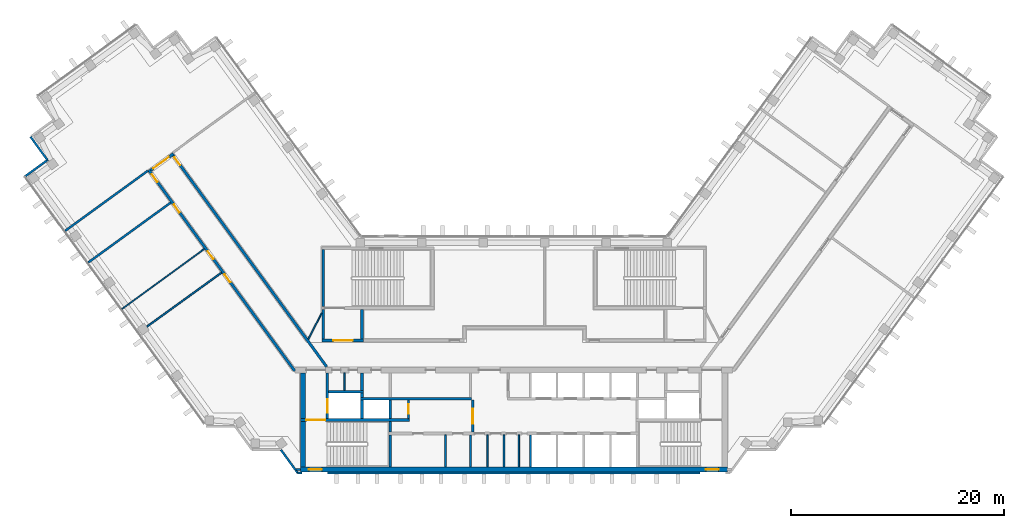
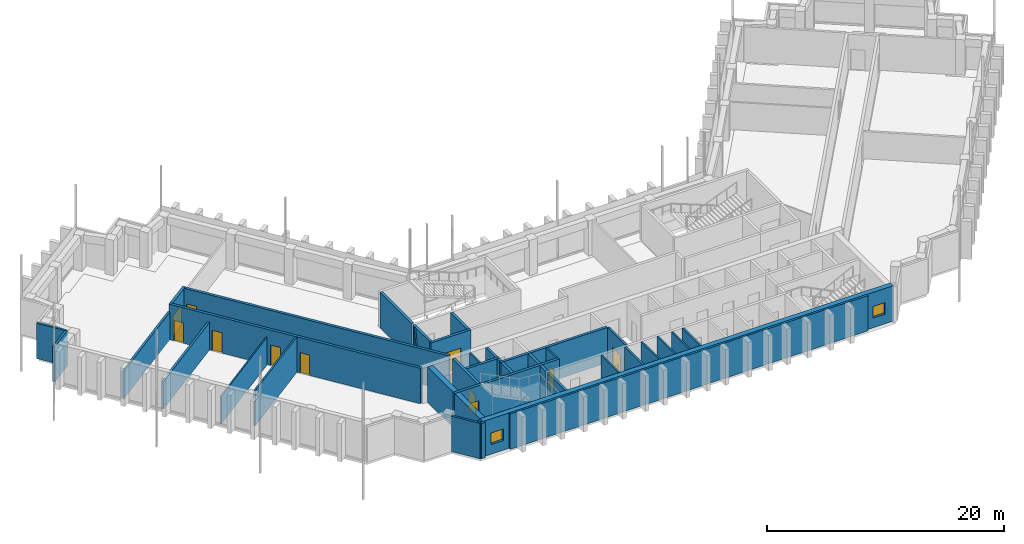
# One storey, part 7 of 13: 40 walls, 11 doors, 2 windows, 13 openings.
"""IFC4 building model written with IfcOpenShell, lengths in metres."""

from ifc_helpers import new_model, si_unit, direction, frame, frame_2d, origin, place, context, subcontext, project, spatial, rectangle, extrude, material, layer, layer_set, type_object, element, fill, save


model = new_model("IFC4")

# Units and contexts
model_context = context("Model", 3, precision=1e-05, world=origin(), true_north=direction((0.0, 1.0)))
body_context = subcontext(model_context, "Body", "Model", "MODEL_VIEW")
ifc_project = project(units=[si_unit("LENGTHUNIT", "METRE"), si_unit("AREAUNIT", "SQUARE_METRE"), si_unit("VOLUMEUNIT", "CUBIC_METRE"), si_unit("PLANEANGLEUNIT", "RADIAN"), si_unit("MASSUNIT", "GRAM", prefix="KILO")], contexts=[model_context])

# Site, building, storey
site_placement = place(None, origin())
site = spatial("IfcSite", under=ifc_project, at=site_placement, CompositionType="ELEMENT")
building_placement = place(site_placement, origin())
building = spatial("IfcBuilding", under=site, at=building_placement, Name="Quipu Civic Tower", CompositionType="ELEMENT")
storey_placement = place(building_placement, frame((0.0, 0.0, 172.0)))
storey = spatial("IfcBuildingStorey", under=building, at=storey_placement, Name="L40", CompositionType="ELEMENT", Elevation=172.0)

# Walls
ifc_material_1 = material(Name="Double gypsum plasterboard with mineral wool")
ifc_layer_1 = layer(ifc_material_1, 0.14990234375)
ifc_layer_set_1 = layer_set([ifc_layer_1], Name="Double gypsum plasterboard with mineral wool")
wall_type_1 = type_object("IfcWallType", Name="Acoustic partition 150 plasterboard", PredefinedType="PARTITIONING", material=ifc_layer_set_1)
wall_1_placement = place(storey_placement, frame((-27.38916015625, 7.702880859375, 0.0), z_axis=(0.0, 0.0, 1.0), x_axis=(-0.809060825193, -0.587724919617, 0.0)))
element("IfcWall", 1, at=wall_1_placement, inside=storey, type_object=wall_type_1, Name="Partition P10", PredefinedType="PARTITIONING", context=body_context, shape_type="SweptSolid", body=[
    extrude(rectangle(XDim=8.64453125, YDim=0.14990234375, at=frame_2d((4.322265625, 0.0))), origin(), (0.0, 0.0, 1.0), 3.64990234375),
])
ifc_material_2 = material(Name="Fired clay blockwork", Category="masonry")
ifc_layer_2 = layer(ifc_material_2, 0.199951171875)
ifc_layer_set_2 = layer_set([ifc_layer_2], Name="Fired clay blockwork")
wall_type_2 = type_object("IfcWallType", Name="Blockwork wall 200", PredefinedType="SOLIDWALL", material=ifc_layer_set_2)
wall_2_placement = place(storey_placement, frame((-42.035888671875, 11.615478515625, 0.0), z_axis=(0.0, 0.0, 1.0), x_axis=(0.808985331811, 0.587828829605, 0.0)))
element("IfcWall", 2, at=wall_2_placement, inside=storey, type_object=wall_type_2, Name="Partition P02", PredefinedType="SOLIDWALL", context=body_context, shape_type="SweptSolid", body=[
    extrude(rectangle(XDim=9.56982421875, YDim=0.199951171875, at=frame_2d((4.784912109375, 0.0))), origin(), (0.0, 0.0, 1.0), 2.85009765625),
])
wall_3_placement = place(storey_placement, frame((-32.150146484375, 14.255859375, 0.0), z_axis=(0.0, 0.0, 1.0), x_axis=(-0.809064299351, -0.587720137068, 0.0)))
element("IfcWall", 3, at=wall_3_placement, inside=storey, type_object=wall_type_2, Name="Partition P04", PredefinedType="SOLIDWALL", context=body_context, shape_type="SweptSolid", body=[
    extrude(rectangle(XDim=9.5498046875, YDim=0.199951171875, at=frame_2d((4.77490234375, 0.0))), origin(), (0.0, 0.0, 1.0), 2.85009765625),
])
ifc_material_3 = material(Name="Concrete C70/85", Category="concrete")
ifc_layer_3 = layer(ifc_material_3, 0.25)
ifc_layer_set_3 = layer_set([ifc_layer_3], Name="Concrete C70/85")
wall_type_3 = type_object("IfcWallType", Name="Core wall 250", PredefinedType="SHEAR", material=ifc_layer_set_3)
wall_4_placement = place(storey_placement, frame((-11.574951171875, -10.5, 0.0), z_axis=(0.0, 0.0, 1.0), x_axis=(0.0, 1.0, 0.0)))
element("IfcWall", 4, at=wall_4_placement, inside=storey, type_object=wall_type_3, Name="Core wall", PredefinedType="SHEAR", context=body_context, shape_type="SweptSolid", body=[
    extrude(rectangle(XDim=3.0, YDim=0.25, at=frame_2d((1.5, 0.0))), origin(), (0.0, 0.0, 1.0), 3.64990234375),
])
wall_5_placement = place(storey_placement, frame((-11.574951171875, -7.25, 0.0), z_axis=(0.0, 0.0, 1.0), x_axis=(0.0, 1.0, 0.0)))
element("IfcWall", 5, at=wall_5_placement, inside=storey, type_object=wall_type_3, Name="Core wall", PredefinedType="SHEAR", context=body_context, shape_type="SweptSolid", body=[
    extrude(rectangle(XDim=1.0, YDim=0.25, at=frame_2d((0.5, 0.0))), origin(), (0.0, 0.0, 1.0), 3.64990234375),
])

# Wall, opening, door
wall_6_placement = place(storey_placement, frame((-9.800048828125, -6.125, 0.0), z_axis=(0.0, 0.0, 1.0), x_axis=(-1.0, 0.0, 0.0)))
wall_6 = element("IfcWall", 6, at=wall_6_placement, inside=storey, type_object=wall_type_3, Name="Core wall", PredefinedType="SHEAR", context=body_context, shape_type="SweptSolid", body=[
    extrude(rectangle(XDim=10.199951171875, YDim=0.25, at=frame_2d((5.10009765625, 0.0))), origin(), (0.0, 0.0, 1.0), 3.64990234375),
])
opening_1_placement = place(wall_6_placement, frame((7.85009765625, 0.0, 0.0)))
opening_1 = element("IfcOpeningElement", 7, at=opening_1_placement, cuts=wall_6, Name="Opening CD-07", PredefinedType="OPENING", context=body_context, shape_type="SweptSolid", body=[
    extrude(rectangle(XDim=1.800048828125, YDim=2.10009765625, at=frame_2d((0.89990234375, 1.050048828125))), frame((0.0, 0.135009765625, 0.0), z_axis=(0.0, -1.0, 0.0), x_axis=(1.0, 0.0, 0.0)), (0.0, 0.0, 1.0), 0.27001953125),
])
ifc_material_4 = material(Name="Fire rated steel door", Category="steel")
door_type_1 = type_object("IfcDoorType", Name="Fire door FD90 double 1800 x 2100", OperationType="NOTDEFINED", PredefinedType="DOOR", material=ifc_material_4)
door_1_placement = place(opening_1_placement, origin())
door_1 = element("IfcDoor", 8, at=door_1_placement, inside=storey, type_object=door_type_1, Name="Door", OperationType="DOUBLE_DOOR_SINGLE_SWING", OverallHeight=2.10009765625, OverallWidth=1.800048828125, PredefinedType="DOOR", context=body_context, shape_type="SweptSolid", body=[
    extrude(rectangle(XDim=1.800048828125, YDim=2.10009765625, at=frame_2d((0.89990234375, 1.050048828125))), frame((0.0, 0.02490234375, 0.0), z_axis=(0.0, -1.0, 0.0), x_axis=(1.0, 0.0, 0.0)), (0.0, 0.0, 1.0), 0.050048828125),
])
fill(opening_1, door_1)

wall_7_placement = place(storey_placement, frame((-17.47509765625, -6.0, 0.0), z_axis=(0.0, 0.0, 1.0), x_axis=(0.0, 1.0, 0.0)))
wall_7 = element("IfcWall", 9, at=wall_7_placement, inside=storey, type_object=wall_type_3, Name="Core wall", PredefinedType="SHEAR", context=body_context, shape_type="SweptSolid", body=[
    extrude(rectangle(XDim=4.300048828125, YDim=0.25, at=frame_2d((2.14990234375, 0.0))), origin(), (0.0, 0.0, 1.0), 3.64990234375),
])
opening_2_placement = place(wall_7_placement, frame((0.550048828125, 0.0, 0.0)))
opening_2 = element("IfcOpeningElement", 10, at=opening_2_placement, cuts=wall_7, Name="Opening LD-FF1", PredefinedType="OPENING", context=body_context, shape_type="SweptSolid", body=[
    extrude(rectangle(XDim=1.300048828125, YDim=2.10009765625, at=frame_2d((0.64990234375, 1.050048828125))), frame((0.0, 0.135009765625, 0.0), z_axis=(0.0, -1.0, 0.0), x_axis=(1.0, 0.0, 0.0)), (0.0, 0.0, 1.0), 0.27001953125),
])
ifc_material_5 = material(Name="Stainless steel", Category="steel")
door_type_2 = type_object("IfcDoorType", Name="Lift landing door 1300 x 2100", OperationType="DOUBLE_DOOR_SLIDING", PredefinedType="DOOR", material=ifc_material_5)
door_2_placement = place(opening_2_placement, origin())
door_2 = element("IfcDoor", 11, at=door_2_placement, inside=storey, type_object=door_type_2, Name="Landing door FF1", OperationType="DOUBLE_DOOR_SLIDING", OverallHeight=2.10009765625, OverallWidth=1.300048828125, PredefinedType="DOOR", context=body_context, shape_type="SweptSolid", body=[
    extrude(rectangle(XDim=1.300048828125, YDim=2.10009765625, at=frame_2d((0.64990234375, 1.050048828125))), frame((0.0, 0.02490234375, 0.0), z_axis=(0.0, -1.0, 0.0), x_axis=(1.0, 0.0, 0.0)), (0.0, 0.0, 1.0), 0.050048828125),
])
fill(opening_2, door_2)

# Walls
for number, where, z_axis, x_axis, name in (
    (12, (-14.22509765625, -6.0, 0.0), (0.0, 0.0, 1.0), (0.0, 1.0, 0.0), "Core wall"),
    (13, (-11.574951171875, -6.0, 0.0), (0.0, 0.0, 1.0), (0.0, 1.0, 0.0), "Core wall"),
):
    element("IfcWall", number, at=place(storey_placement, frame(where, z_axis=z_axis, x_axis=x_axis)), inside=storey, type_object=wall_type_3, Name=name, PredefinedType="SHEAR", context=body_context, shape_type="SweptSolid", body=[
        extrude(rectangle(XDim=1.75, YDim=0.25, at=frame_2d((0.875, 0.0))), origin(), (0.0, 0.0, 1.0), 3.64990234375),
    ])
wall_8_placement = place(storey_placement, frame((-14.35009765625, -4.125, 0.0), z_axis=(0.0, 0.0, 1.0), x_axis=(1.0, 0.0, 0.0)))
element("IfcWall", 14, at=wall_8_placement, inside=storey, type_object=wall_type_3, Name="Core wall", PredefinedType="SHEAR", context=body_context, shape_type="SweptSolid", body=[
    extrude(rectangle(XDim=10.400146484375, YDim=0.25, at=frame_2d((5.2001953125, 0.0))), origin(), (0.0, 0.0, 1.0), 3.64990234375),
])
wall_9_placement = place(storey_placement, frame((-14.22509765625, -4.0, 0.0), z_axis=(0.0, 0.0, 1.0), x_axis=(0.0, 1.0, 0.0)))
element("IfcWall", 15, at=wall_9_placement, inside=storey, type_object=wall_type_3, Name="Core wall", PredefinedType="SHEAR", context=body_context, shape_type="SweptSolid", body=[
    extrude(rectangle(XDim=0.39990234375, YDim=0.25, at=frame_2d((0.199951171875, 0.0))), origin(), (0.0, 0.0, 1.0), 3.64990234375),
])
wall_10_placement = place(storey_placement, frame((-17.35009765625, -3.47509765625, 0.0), z_axis=(0.0, 0.0, 1.0), x_axis=(1.0, 0.0, 0.0)))
element("IfcWall", 16, at=wall_10_placement, inside=storey, type_object=wall_type_3, Name="Core wall", PredefinedType="SHEAR", context=body_context, shape_type="SweptSolid", body=[
    extrude(rectangle(XDim=3.25, YDim=0.25, at=frame_2d((1.625, 0.0))), origin(), (0.0, 0.0, 1.0), 3.64990234375),
])
wall_11_placement = place(storey_placement, frame((-14.22509765625, -3.35009765625, 0.0), z_axis=(0.0, 0.0, 1.0), x_axis=(0.0, 1.0, 0.0)))
element("IfcWall", 17, at=wall_11_placement, inside=storey, type_object=wall_type_3, Name="Core wall", PredefinedType="SHEAR", context=body_context, shape_type="SweptSolid", body=[
    extrude(rectangle(XDim=1.650146484375, YDim=0.25, at=frame_2d((0.8251953125, 0.0))), origin(), (0.0, 0.0, 1.0), 3.64990234375),
])

# Wall, opening, door
wall_12_placement = place(storey_placement, frame((-18.0, 1.324951171875, 0.0), z_axis=(0.0, 0.0, 1.0), x_axis=(1.0, 0.0, 0.0)))
wall_12 = element("IfcWall", 18, at=wall_12_placement, inside=storey, type_object=wall_type_3, Name="Core wall", PredefinedType="SHEAR", context=body_context, shape_type="SweptSolid", body=[
    extrude(rectangle(XDim=3.89990234375, YDim=0.25, at=frame_2d((1.949951171875, 0.0))), origin(), (0.0, 0.0, 1.0), 3.64990234375),
])
opening_3_placement = place(wall_12_placement, frame((1.10009765625, 0.0, 0.0)))
opening_3 = element("IfcOpeningElement", 19, at=opening_3_placement, cuts=wall_12, Name="Opening CD-21", PredefinedType="OPENING", context=body_context, shape_type="SweptSolid", body=[
    extrude(rectangle(XDim=1.800048828125, YDim=2.10009765625, at=frame_2d((0.89990234375, 1.050048828125))), frame((0.0, 0.135009765625, 0.0), z_axis=(0.0, -1.0, 0.0), x_axis=(1.0, 0.0, 0.0)), (0.0, 0.0, 1.0), 0.27001953125),
])
door_3_placement = place(opening_3_placement, origin())
door_3 = element("IfcDoor", 20, at=door_3_placement, inside=storey, type_object=door_type_1, Name="Lobby door", OperationType="DOUBLE_DOOR_SINGLE_SWING", OverallHeight=2.10009765625, OverallWidth=1.800048828125, PredefinedType="DOOR", context=body_context, shape_type="SweptSolid", body=[
    extrude(rectangle(XDim=1.800048828125, YDim=2.10009765625, at=frame_2d((0.89990234375, 1.050048828125))), frame((0.0, 0.02490234375, 0.0), z_axis=(0.0, -1.0, 0.0), x_axis=(1.0, 0.0, 0.0)), (0.0, 0.0, 1.0), 0.050048828125),
])
fill(opening_3, door_3)

# Walls
for number, where, z_axis, x_axis, name in (
    (21, (-17.875, 1.449951171875, 0.0), (0.0, 0.0, 1.0), (0.0, 1.0, 0.0), "Core wall"),
    (22, (-14.22509765625, 1.449951171875, 0.0), (0.0, 0.0, 1.0), (0.0, 1.0, 0.0), "Core wall"),
):
    element("IfcWall", number, at=place(storey_placement, frame(where, z_axis=z_axis, x_axis=x_axis)), inside=storey, type_object=wall_type_3, Name=name, PredefinedType="SHEAR", context=body_context, shape_type="SweptSolid", body=[
        extrude(rectangle(XDim=2.800048828125, YDim=0.25, at=frame_2d((1.39990234375, 0.0))), origin(), (0.0, 0.0, 1.0), 3.64990234375),
    ])
wall_13_placement = place(storey_placement, frame((-17.875, 4.5, 0.0), z_axis=(0.0, 0.0, 1.0), x_axis=(0.0, 1.0, 0.0)))
element("IfcWall", 23, at=wall_13_placement, inside=storey, type_object=wall_type_3, Name="Core wall", PredefinedType="SHEAR", context=body_context, shape_type="SweptSolid", body=[
    extrude(rectangle(XDim=5.35009765625, YDim=0.25, at=frame_2d((2.675048828125, 0.0))), origin(), (0.0, 0.0, 1.0), 3.64990234375),
])

# Wall, openings, windows
ifc_material_6 = material(Name="Concrete C70/85", Category="concrete")
ifc_layer_4 = layer(ifc_material_6, 0.5)
ifc_layer_set_4 = layer_set([ifc_layer_4], Name="Concrete C70/85")
wall_type_4 = type_object("IfcWallType", Name="Core wall 500", PredefinedType="SHEAR", material=ifc_layer_set_4)
wall_14_placement = place(storey_placement, frame((-20.0, -10.75, 0.0), z_axis=(0.0, 0.0, 1.0), x_axis=(1.0, 0.0, 0.0)))
wall_14 = element("IfcWall", 24, at=wall_14_placement, inside=storey, type_object=wall_type_4, Name="Core wall", PredefinedType="SHEAR", context=body_context, shape_type="SweptSolid", body=[
    extrude(rectangle(XDim=40.0, YDim=0.5, at=frame_2d((20.0, 0.0))), origin(), (0.0, 0.0, 1.0), 3.64990234375),
])
opening_4_placement = place(wall_14_placement, frame((0.800048828125, 0.0, 1.0)))
opening_4 = element("IfcOpeningElement", 25, at=opening_4_placement, cuts=wall_14, Name="Opening SV-1", PredefinedType="OPENING", context=body_context, shape_type="SweptSolid", body=[
    extrude(rectangle(XDim=1.199951171875, YDim=1.199951171875, at=frame_2d((0.60009765625, 0.60009765625))), frame((0.0, 0.260009765625, 0.0), z_axis=(0.0, -1.0, 0.0), x_axis=(1.0, 0.0, 0.0)), (0.0, 0.0, 1.0), 0.52001953125),
])
opening_5_placement = place(wall_14_placement, frame((38.0, 0.0, 1.0)))
opening_5 = element("IfcOpeningElement", 26, at=opening_5_placement, cuts=wall_14, Name="Opening SV-2", PredefinedType="OPENING", context=body_context, shape_type="SweptSolid", body=[
    extrude(rectangle(XDim=1.199951171875, YDim=1.199951171875, at=frame_2d((0.60009765625, 0.60009765625))), frame((0.0, 0.260009765625, 0.0), z_axis=(0.0, -1.0, 0.0), x_axis=(1.0, 0.0, 0.0)), (0.0, 0.0, 1.0), 0.52001953125),
])
ifc_material_7 = material(Name="Aluminium louvre", Category="aluminium")
window_type = type_object("IfcWindowType", Name="Stair ventilation louvre 1200 x 1200", PartitioningType="SINGLE_PANEL", PredefinedType="WINDOW", material=ifc_material_7)
window_1_placement = place(opening_4_placement, origin())
window_1 = element("IfcWindow", 27, at=window_1_placement, inside=storey, type_object=window_type, Name="Stair ventilation opening", OverallHeight=1.199951171875, OverallWidth=1.199951171875, PartitioningType="SINGLE_PANEL", PredefinedType="WINDOW", context=body_context, shape_type="SweptSolid", body=[
    extrude(rectangle(XDim=1.199951171875, YDim=1.199951171875, at=frame_2d((0.60009765625, 0.60009765625))), frame((0.0, 0.030029296875, 0.0), z_axis=(0.0, -1.0, 0.0), x_axis=(1.0, 0.0, 0.0)), (0.0, 0.0, 1.0), 0.06005859375),
])
fill(opening_4, window_1)
window_2_placement = place(opening_5_placement, origin())
window_2 = element("IfcWindow", 28, at=window_2_placement, inside=storey, type_object=window_type, Name="Stair ventilation opening", OverallHeight=1.199951171875, OverallWidth=1.199951171875, PartitioningType="SINGLE_PANEL", PredefinedType="WINDOW", context=body_context, shape_type="SweptSolid", body=[
    extrude(rectangle(XDim=1.199951171875, YDim=1.199951171875, at=frame_2d((0.60009765625, 0.60009765625))), frame((0.0, 0.030029296875, 0.0), z_axis=(0.0, -1.0, 0.0), x_axis=(1.0, 0.0, 0.0)), (0.0, 0.0, 1.0), 0.06005859375),
])
fill(opening_5, window_2)

# Walls
wall_15_placement = place(storey_placement, frame((-19.75, -10.5, 0.0), z_axis=(0.0, 0.0, 1.0), x_axis=(0.0, 1.0, 0.0)))
element("IfcWall", 29, at=wall_15_placement, inside=storey, type_object=wall_type_4, Name="Core wall", PredefinedType="SHEAR", context=body_context, shape_type="SweptSolid", body=[
    extrude(rectangle(XDim=4.25, YDim=0.5, at=frame_2d((2.125, 0.0))), origin(), (0.0, 0.0, 1.0), 3.64990234375),
])
wall_16_placement = place(storey_placement, frame((-19.75, -6.0, 0.0), z_axis=(0.0, 0.0, 1.0), x_axis=(0.0, 1.0, 0.0)))
element("IfcWall", 30, at=wall_16_placement, inside=storey, type_object=wall_type_4, Name="Core wall", PredefinedType="SHEAR", context=body_context, shape_type="SweptSolid", body=[
    extrude(rectangle(XDim=4.300048828125, YDim=0.5, at=frame_2d((2.14990234375, 0.0))), origin(), (0.0, 0.0, 1.0), 3.64990234375),
])

# Wall, openings, doors
ifc_material_8 = material(Name="Concrete C50/60", Category="concrete")
ifc_layer_5 = layer(ifc_material_8, 0.25)
ifc_layer_set_5 = layer_set([ifc_layer_5], Name="Concrete C50/60")
wall_type_5 = type_object("IfcWallType", Name="Corridor wall 250 concrete", PredefinedType="SOLIDWALL", material=ifc_layer_set_5)
wall_17_placement = place(storey_placement, frame((-20.531005859375, -1.5234375, 0.0), z_axis=(0.0, 0.0, 1.0), x_axis=(-0.587784239999, 0.809017729849, 0.0)))
wall_17 = element("IfcWall", 31, at=wall_17_placement, inside=storey, type_object=wall_type_5, Name="Corridor wall C04", PredefinedType="SOLIDWALL", context=body_context, shape_type="SweptSolid", body=[
    extrude(rectangle(XDim=23.2705078125, YDim=0.25, at=frame_2d((11.63525390625, 0.0))), origin(), (0.0, 0.0, 1.0), 3.64990234375),
])
opening_6_placement = place(wall_17_placement, frame((18.36572265625, 0.0, 0.0)))
opening_6 = element("IfcOpeningElement", 32, at=opening_6_placement, cuts=wall_17, Name="Opening D011", PredefinedType="OPENING", context=body_context, shape_type="SweptSolid", body=[
    extrude(rectangle(XDim=0.89990234375, YDim=2.10009765625, at=frame_2d((0.449951171875, 1.050048828125))), frame((0.0, 0.135009765625, 0.0), z_axis=(0.0, -1.0, 0.0), x_axis=(1.0, 0.0, 0.0)), (0.0, 0.0, 1.0), 0.27001953125),
])
opening_7_placement = place(wall_17_placement, frame((10.265869140625, 0.0, 0.0)))
opening_7 = element("IfcOpeningElement", 33, at=opening_7_placement, cuts=wall_17, Name="Opening D013", PredefinedType="OPENING", context=body_context, shape_type="SweptSolid", body=[
    extrude(rectangle(XDim=0.89990234375, YDim=2.10009765625, at=frame_2d((0.449951171875, 1.050048828125))), frame((0.0, 0.135009765625, 0.0), z_axis=(0.0, -1.0, 0.0), x_axis=(1.0, 0.0, 0.0)), (0.0, 0.0, 1.0), 0.27001953125),
])
opening_8_placement = place(wall_17_placement, frame((21.89599609375, 0.0, 0.0)))
opening_8 = element("IfcOpeningElement", 34, at=opening_8_placement, cuts=wall_17, Name="Opening D010", PredefinedType="OPENING", context=body_context, shape_type="SweptSolid", body=[
    extrude(rectangle(XDim=0.89990234375, YDim=2.10009765625, at=frame_2d((0.449951171875, 1.050048828125))), frame((0.0, 0.135009765625, 0.0), z_axis=(0.0, -1.0, 0.0), x_axis=(1.0, 0.0, 0.0)), (0.0, 0.0, 1.0), 0.27001953125),
])
opening_9_placement = place(wall_17_placement, frame((12.96630859375, 0.0, 0.0)))
opening_9 = element("IfcOpeningElement", 35, at=opening_9_placement, cuts=wall_17, Name="Opening D012", PredefinedType="OPENING", context=body_context, shape_type="SweptSolid", body=[
    extrude(rectangle(XDim=0.89990234375, YDim=2.10009765625, at=frame_2d((0.449951171875, 1.050048828125))), frame((0.0, 0.135009765625, 0.0), z_axis=(0.0, -1.0, 0.0), x_axis=(1.0, 0.0, 0.0)), (0.0, 0.0, 1.0), 0.27001953125),
])
ifc_material_9 = material(Name="Fire rated timber door set with metal frame", Category="wood")
door_type_3 = type_object("IfcDoorType", Name="Single door 900 x 2100 FD60", OperationType="NOTDEFINED", PredefinedType="DOOR", material=ifc_material_9)
door_4_placement = place(opening_6_placement, origin())
door_4 = element("IfcDoor", 36, at=door_4_placement, inside=storey, type_object=door_type_3, Name="Door D011", OperationType="SINGLE_SWING_RIGHT", OverallHeight=2.10009765625, OverallWidth=0.89990234375, PredefinedType="DOOR", context=body_context, shape_type="SweptSolid", body=[
    extrude(rectangle(XDim=0.89990234375, YDim=2.10009765625, at=frame_2d((0.449951171875, 1.050048828125))), frame((0.0, 0.02490234375, 0.0), z_axis=(0.0, -1.0, 0.0), x_axis=(1.0, 0.0, 0.0)), (0.0, 0.0, 1.0), 0.050048828125),
])
fill(opening_6, door_4)
door_5_placement = place(opening_7_placement, origin())
door_5 = element("IfcDoor", 37, at=door_5_placement, inside=storey, type_object=door_type_3, Name="Door D013", OperationType="SINGLE_SWING_RIGHT", OverallHeight=2.10009765625, OverallWidth=0.89990234375, PredefinedType="DOOR", context=body_context, shape_type="SweptSolid", body=[
    extrude(rectangle(XDim=0.89990234375, YDim=2.10009765625, at=frame_2d((0.449951171875, 1.050048828125))), frame((0.0, 0.02490234375, 0.0), z_axis=(0.0, -1.0, 0.0), x_axis=(1.0, 0.0, 0.0)), (0.0, 0.0, 1.0), 0.050048828125),
])
fill(opening_7, door_5)
door_6_placement = place(opening_8_placement, origin())
door_6 = element("IfcDoor", 38, at=door_6_placement, inside=storey, type_object=door_type_3, Name="Door D010", OperationType="SINGLE_SWING_RIGHT", OverallHeight=2.10009765625, OverallWidth=0.89990234375, PredefinedType="DOOR", context=body_context, shape_type="SweptSolid", body=[
    extrude(rectangle(XDim=0.89990234375, YDim=2.10009765625, at=frame_2d((0.449951171875, 1.050048828125))), frame((0.0, 0.02490234375, 0.0), z_axis=(0.0, -1.0, 0.0), x_axis=(1.0, 0.0, 0.0)), (0.0, 0.0, 1.0), 0.050048828125),
])
fill(opening_8, door_6)
door_7_placement = place(opening_9_placement, origin())
door_7 = element("IfcDoor", 39, at=door_7_placement, inside=storey, type_object=door_type_3, Name="Door D012", OperationType="SINGLE_SWING_RIGHT", OverallHeight=2.10009765625, OverallWidth=0.89990234375, PredefinedType="DOOR", context=body_context, shape_type="SweptSolid", body=[
    extrude(rectangle(XDim=0.89990234375, YDim=2.10009765625, at=frame_2d((0.449951171875, 1.050048828125))), frame((0.0, 0.02490234375, 0.0), z_axis=(0.0, -1.0, 0.0), x_axis=(1.0, 0.0, 0.0)), (0.0, 0.0, 1.0), 0.050048828125),
])
fill(opening_9, door_7)

# Wall, opening, door
wall_18_placement = place(storey_placement, frame((-34.0341796875, 17.275146484375, 0.0), z_axis=(0.0, 0.0, 1.0), x_axis=(0.809006914995, 0.587799125119, 0.0)))
wall_18 = element("IfcWall", 40, at=wall_18_placement, inside=storey, type_object=wall_type_5, Name="Corridor wall C05", PredefinedType="SOLIDWALL", context=body_context, shape_type="SweptSolid", body=[
    extrude(rectangle(XDim=2.64990234375, YDim=0.25, at=frame_2d((1.324951171875, 0.0))), origin(), (0.0, 0.0, 1.0), 3.64990234375),
])
opening_10_placement = place(wall_18_placement, frame((0.30029296875, 0.0, 0.0)))
opening_10 = element("IfcOpeningElement", 41, at=opening_10_placement, cuts=wall_18, Name="Opening D014", PredefinedType="OPENING", context=body_context, shape_type="SweptSolid", body=[
    extrude(rectangle(XDim=1.800048828125, YDim=2.10009765625, at=frame_2d((0.89990234375, 1.050048828125))), frame((0.0, 0.135009765625, 0.0), z_axis=(0.0, -1.0, 0.0), x_axis=(1.0, 0.0, 0.0)), (0.0, 0.0, 1.0), 0.27001953125),
])
ifc_material_10 = material(Name="Fire rated timber door set with metal frame", Category="wood")
door_type_4 = type_object("IfcDoorType", Name="Double door 1800 x 2100 FD60", OperationType="DOUBLE_DOOR_SINGLE_SWING", PredefinedType="DOOR", material=ifc_material_10)
door_8_placement = place(opening_10_placement, origin())
door_8 = element("IfcDoor", 42, at=door_8_placement, inside=storey, type_object=door_type_4, Name="Door D014", OperationType="DOUBLE_DOOR_SINGLE_SWING", OverallHeight=2.10009765625, OverallWidth=1.800048828125, PredefinedType="DOOR", context=body_context, shape_type="SweptSolid", body=[
    extrude(rectangle(XDim=1.800048828125, YDim=2.10009765625, at=frame_2d((0.89990234375, 1.050048828125))), frame((0.0, 0.02490234375, 0.0), z_axis=(0.0, -1.0, 0.0), x_axis=(1.0, 0.0, 0.0)), (0.0, 0.0, 1.0), 0.050048828125),
])
fill(opening_10, door_8)

wall_19_placement = place(storey_placement, frame((-31.918212890625, 18.658203125, 0.0), z_axis=(0.0, 0.0, 1.0), x_axis=(0.587788731405, -0.80901446664, 0.0)))
wall_19 = element("IfcWall", 43, at=wall_19_placement, inside=storey, type_object=wall_type_5, Name="Corridor wall C06", PredefinedType="SOLIDWALL", context=body_context, shape_type="SweptSolid", body=[
    extrude(rectangle(XDim=24.453125, YDim=0.25, at=frame_2d((12.2265625, 0.0))), origin(), (0.0, 0.0, 1.0), 3.64990234375),
])
opening_11_placement = place(wall_19_placement, frame((0.22412109375, 0.0, 0.0)))
opening_11 = element("IfcOpeningElement", 44, at=opening_11_placement, cuts=wall_19, Name="Opening D009", PredefinedType="OPENING", context=body_context, shape_type="SweptSolid", body=[
    extrude(rectangle(XDim=0.89990234375, YDim=2.10009765625, at=frame_2d((0.449951171875, 1.050048828125))), frame((0.0, 0.135009765625, 0.0), z_axis=(0.0, -1.0, 0.0), x_axis=(1.0, 0.0, 0.0)), (0.0, 0.0, 1.0), 0.27001953125),
])
door_9_placement = place(opening_11_placement, origin())
door_9 = element("IfcDoor", 45, at=door_9_placement, inside=storey, type_object=door_type_3, Name="Door D009", OperationType="SINGLE_SWING_LEFT", OverallHeight=2.10009765625, OverallWidth=0.89990234375, PredefinedType="DOOR", context=body_context, shape_type="SweptSolid", body=[
    extrude(rectangle(XDim=0.89990234375, YDim=2.10009765625, at=frame_2d((0.449951171875, 1.050048828125))), frame((0.0, 0.02490234375, 0.0), z_axis=(0.0, -1.0, 0.0), x_axis=(1.0, 0.0, 0.0)), (0.0, 0.0, 1.0), 0.050048828125),
])
fill(opening_11, door_9)

# Walls
ifc_material_11 = material(Name="Gypsum plasterboard on light gauge framing")
ifc_layer_6 = layer(ifc_material_11, 0.1201171875)
ifc_layer_set_6 = layer_set([ifc_layer_6], Name="Gypsum plasterboard on light gauge framing")
wall_type_6 = type_object("IfcWallType", Name="Partition 120 plasterboard", PredefinedType="PARTITIONING", material=ifc_layer_set_6)
wall_20_placement = place(storey_placement, frame((-36.71240234375, 4.288330078125, 0.0), z_axis=(0.0, 0.0, 1.0), x_axis=(0.807606997933, 0.589721067023, 0.0)))
element("IfcWall", 46, at=wall_20_placement, inside=storey, type_object=wall_type_6, Name="Partition P05", PredefinedType="PARTITIONING", context=body_context, shape_type="SweptSolid", body=[
    extrude(rectangle(XDim=9.550048828125, YDim=0.1201171875, at=frame_2d((4.77490234375, 0.0))), origin(), (0.0, 0.0, 1.0), 2.85009765625),
])
wall_21_placement = place(storey_placement, frame((-19.260986328125, 1.449951171875, 0.0), z_axis=(0.0, 0.0, 1.0), x_axis=(0.453950796792, 0.891026752736, 0.0)))
element("IfcWall", 47, at=wall_21_placement, inside=storey, type_object=wall_type_6, Name="Partition P13", PredefinedType="PARTITIONING", context=body_context, shape_type="SweptSolid", body=[
    extrude(rectangle(XDim=2.77783203125, YDim=0.1201171875, at=frame_2d((1.388916015625, 0.0))), origin(), (0.0, 0.0, 1.0), 3.64990234375),
])
ifc_material_12 = material(Name="Gypsum board partition")
ifc_layer_7 = layer(ifc_material_12, 0.14990234375)
ifc_layer_set_7 = layer_set([ifc_layer_7], Name="Gypsum board partition")
wall_type_7 = type_object("IfcWallType", Name="Partition 150", PredefinedType="PARTITIONING", material=ifc_layer_set_7)
for number, where, z_axis, x_axis, name in (
    (48, (-6.39990234375, -10.5, 0.0), (0.0, 0.0, 1.0), (0.0, 1.0, 0.0), "Partition"),
    (49, (-2.47509765625, -10.5, 0.0), (0.0, 0.0, 1.0), (0.0, 1.0, 0.0), "Partition"),
    (50, (-0.925048828125, -10.5, 0.0), (0.0, 0.0, 1.0), (0.0, 1.0, 0.0), "Partition"),
    (51, (0.47509765625, -10.5, 0.0), (0.0, 0.0, 1.0), (0.0, 1.0, 0.0), "Partition"),
):
    element("IfcWall", number, at=place(storey_placement, frame(where, z_axis=z_axis, x_axis=x_axis)), inside=storey, type_object=wall_type_7, Name=name, PredefinedType="PARTITIONING", context=body_context, shape_type="SweptSolid", body=[
        extrude(rectangle(XDim=3.0, YDim=0.14990234375, at=frame_2d((1.5, 0.0))), origin(), (0.0, 0.0, 1.0), 3.64990234375),
    ])

# Wall, opening, door
wall_22_placement = place(storey_placement, frame((-9.875, -4.25, 0.0), z_axis=(0.0, 0.0, 1.0), x_axis=(0.0, -1.0, 0.0)))
wall_22 = element("IfcWall", 52, at=wall_22_placement, inside=storey, type_object=wall_type_7, Name="Partition", PredefinedType="PARTITIONING", context=body_context, shape_type="SweptSolid", body=[
    extrude(rectangle(XDim=1.75, YDim=0.14990234375, at=frame_2d((0.875, 0.0))), origin(), (0.0, 0.0, 1.0), 3.64990234375),
])
opening_12_placement = place(wall_22_placement, frame((0.39990234375, 0.0, 0.0)))
opening_12 = element("IfcOpeningElement", 53, at=opening_12_placement, cuts=wall_22, Name="Opening CD-10", PredefinedType="OPENING", context=body_context, shape_type="SweptSolid", body=[
    extrude(rectangle(XDim=0.89990234375, YDim=2.10009765625, at=frame_2d((0.449951171875, 1.050048828125))), frame((0.0, 0.0849609375, 0.0), z_axis=(0.0, -1.0, 0.0), x_axis=(1.0, 0.0, 0.0)), (0.0, 0.0, 1.0), 0.169921875),
])
ifc_material_13 = material(Name="Fire rated steel door", Category="steel")
door_type_5 = type_object("IfcDoorType", Name="Fire door FD60 900 x 2100", OperationType="NOTDEFINED", PredefinedType="DOOR", material=ifc_material_13)
door_10_placement = place(opening_12_placement, origin())
door_10 = element("IfcDoor", 54, at=door_10_placement, inside=storey, type_object=door_type_5, Name="Door", OperationType="SINGLE_SWING_LEFT", OverallHeight=2.10009765625, OverallWidth=0.89990234375, PredefinedType="DOOR", context=body_context, shape_type="SweptSolid", body=[
    extrude(rectangle(XDim=0.89990234375, YDim=2.10009765625, at=frame_2d((0.449951171875, 1.050048828125))), frame((0.0, 0.02490234375, 0.0), z_axis=(0.0, -1.0, 0.0), x_axis=(1.0, 0.0, 0.0)), (0.0, 0.0, 1.0), 0.050048828125),
])
fill(opening_12, door_10)

# Walls
wall_23_placement = place(storey_placement, frame((-15.85009765625, -3.35009765625, 0.0), z_axis=(0.0, 0.0, 1.0), x_axis=(0.0, 1.0, 0.0)))
element("IfcWall", 55, at=wall_23_placement, inside=storey, type_object=wall_type_7, Name="Partition", PredefinedType="PARTITIONING", context=body_context, shape_type="SweptSolid", body=[
    extrude(rectangle(XDim=1.650146484375, YDim=0.14990234375, at=frame_2d((0.8251953125, 0.0))), origin(), (0.0, 0.0, 1.0), 3.64990234375),
])
ifc_material_14 = material(Name="Precast concrete C40/50", Category="concrete")
wall_type_8 = type_object("IfcWallType", Name="Precast cladding wall", PredefinedType="SOLIDWALL", material=ifc_material_14)
for number, where, z_axis, x_axis, name in (
    (56, (-45.29638671875, 20.43359375, 0.0), (0.0, 0.0, 1.0), (0.587762999008, -0.809033161865, 0.0), "Precast cladding wall L40 P02"),
    (57, (-43.658203125, 18.271728515625, 0.0), (0.0, 0.0, 1.0), (-0.808958916286, -0.58786518162, 0.0), "Precast cladding wall L40 P03"),
):
    element("IfcWall", number, at=place(storey_placement, frame(where, z_axis=z_axis, x_axis=x_axis)), inside=storey, type_object=wall_type_8, Name=name, PredefinedType="SOLIDWALL", context=body_context, shape_type="SweptSolid", body=[
        extrude(rectangle(XDim=2.699951171875, YDim=0.199951171875, at=frame_2d((1.35009765625, 0.0))), origin(), (0.0, 0.0, 1.0), 3.64990234375),
    ])
wall_24_placement = place(storey_placement, frame((-21.8330078125, -8.90869140625, 0.0), z_axis=(0.0, 0.0, 1.0), x_axis=(0.587766567315, -0.809030569476, 0.0)))
element("IfcWall", 58, at=wall_24_placement, inside=storey, type_object=wall_type_8, Name="Precast cladding wall L40 P15", PredefinedType="SOLIDWALL", context=body_context, shape_type="SweptSolid", body=[
    extrude(rectangle(XDim=2.687744140625, YDim=0.199951171875, at=frame_2d((1.34375, 0.0))), origin(), (0.0, 0.0, 1.0), 3.64990234375),
])
wall_25_placement = place(storey_placement, frame((-20.255859375, -11.087890625, 0.0), z_axis=(0.0, 0.0, 1.0), x_axis=(1.0, 0.0, 0.0)))
element("IfcWall", 59, at=wall_25_placement, inside=storey, type_object=wall_type_8, Name="Precast cladding wall L40 P16", PredefinedType="SOLIDWALL", context=body_context, shape_type="SweptSolid", body=[
    extrude(rectangle(XDim=0.40576171875, YDim=0.199951171875, at=frame_2d((0.202880859375, 0.0))), origin(), (0.0, 0.0, 1.0), 3.64990234375),
])
wall_26_placement = place(storey_placement, frame((-17.44384765625, -11.087890625, 0.0), z_axis=(0.0, 0.0, 1.0), x_axis=(1.0, 0.0, 0.0)))
element("IfcWall", 60, at=wall_26_placement, inside=storey, type_object=wall_type_8, Name="Precast cladding wall L40 P17", PredefinedType="SOLIDWALL", context=body_context, shape_type="SweptSolid", body=[
    extrude(rectangle(XDim=34.8876953125, YDim=0.199951171875, at=frame_2d((17.44384765625, 0.0))), origin(), (0.0, 0.0, 1.0), 3.64990234375),
])
wall_27_placement = place(storey_placement, frame((-19.97998046875, -10.75, 0.0), z_axis=(0.0, 0.0, 1.0), x_axis=(-1.0, 0.0, 0.0)))
element("IfcWall", 61, at=wall_27_placement, inside=storey, type_object=wall_type_8, Name="Precast cladding return L40 W", PredefinedType="SOLIDWALL", context=body_context, shape_type="SweptSolid", body=[
    extrude(rectangle(XDim=0.41650390625, YDim=0.199951171875, at=frame_2d((0.208251953125, 0.0))), origin(), (0.0, 0.0, 1.0), 3.64990234375),
])
ifc_material_15 = material(Name="Concrete C40/50", Category="concrete")
ifc_layer_8 = layer(ifc_material_15, 0.199951171875)
ifc_layer_set_8 = layer_set([ifc_layer_8], Name="Concrete C40/50")
wall_type_9 = type_object("IfcWallType", Name="Shaft wall 200", PredefinedType="SOLIDWALL", material=ifc_layer_set_8)
for number, where, z_axis, x_axis, name in (
    (62, (-4.050048828125, -10.5, 0.0), (0.0, 0.0, 1.0), (0.0, 1.0, 0.0), "Shaft wall"),
    (63, (1.550048828125, -10.5, 0.0), (0.0, 0.0, 1.0), (0.0, 1.0, 0.0), "Shaft wall"),
):
    element("IfcWall", number, at=place(storey_placement, frame(where, z_axis=z_axis, x_axis=x_axis)), inside=storey, type_object=wall_type_9, Name=name, PredefinedType="SOLIDWALL", context=body_context, shape_type="SweptSolid", body=[
        extrude(rectangle(XDim=3.0, YDim=0.199951171875, at=frame_2d((1.5, 0.0))), origin(), (0.0, 0.0, 1.0), 3.64990234375),
    ])

# Wall, opening, door
wall_28_placement = place(storey_placement, frame((-3.85009765625, -4.25, 0.0), z_axis=(0.0, 0.0, 1.0), x_axis=(0.0, -1.0, 0.0)))
wall_28 = element("IfcWall", 64, at=wall_28_placement, inside=storey, type_object=wall_type_9, Name="Shaft wall", PredefinedType="SOLIDWALL", context=body_context, shape_type="SweptSolid", body=[
    extrude(rectangle(XDim=3.0, YDim=0.199951171875, at=frame_2d((1.5, 0.0))), origin(), (0.0, 0.0, 1.0), 3.64990234375),
])
opening_13_placement = place(wall_28_placement, frame((0.800048828125, 0.0, 0.0)))
opening_13 = element("IfcOpeningElement", 65, at=opening_13_placement, cuts=wall_28, Name="Opening CD-09", PredefinedType="OPENING", context=body_context, shape_type="SweptSolid", body=[
    extrude(rectangle(XDim=1.39990234375, YDim=2.10009765625, at=frame_2d((0.699951171875, 1.050048828125))), frame((0.0, 0.10986328125, 0.0), z_axis=(0.0, -1.0, 0.0), x_axis=(1.0, 0.0, 0.0)), (0.0, 0.0, 1.0), 0.219970703125),
])
ifc_material_16 = material(Name="Fire rated steel door", Category="steel")
door_type_6 = type_object("IfcDoorType", Name="Fire door FD60 double 1400 x 2100", OperationType="NOTDEFINED", PredefinedType="DOOR", material=ifc_material_16)
door_11_placement = place(opening_13_placement, origin())
door_11 = element("IfcDoor", 66, at=door_11_placement, inside=storey, type_object=door_type_6, Name="Hall door", OperationType="DOUBLE_DOOR_SINGLE_SWING", OverallHeight=2.10009765625, OverallWidth=1.39990234375, PredefinedType="DOOR", context=body_context, shape_type="SweptSolid", body=[
    extrude(rectangle(XDim=1.39990234375, YDim=2.10009765625, at=frame_2d((0.699951171875, 1.050048828125))), frame((0.0, 0.02490234375, 0.0), z_axis=(0.0, -1.0, 0.0), x_axis=(1.0, 0.0, 0.0)), (0.0, 0.0, 1.0), 0.050048828125),
])
fill(opening_13, door_11)

save(model, "model.ifc")
